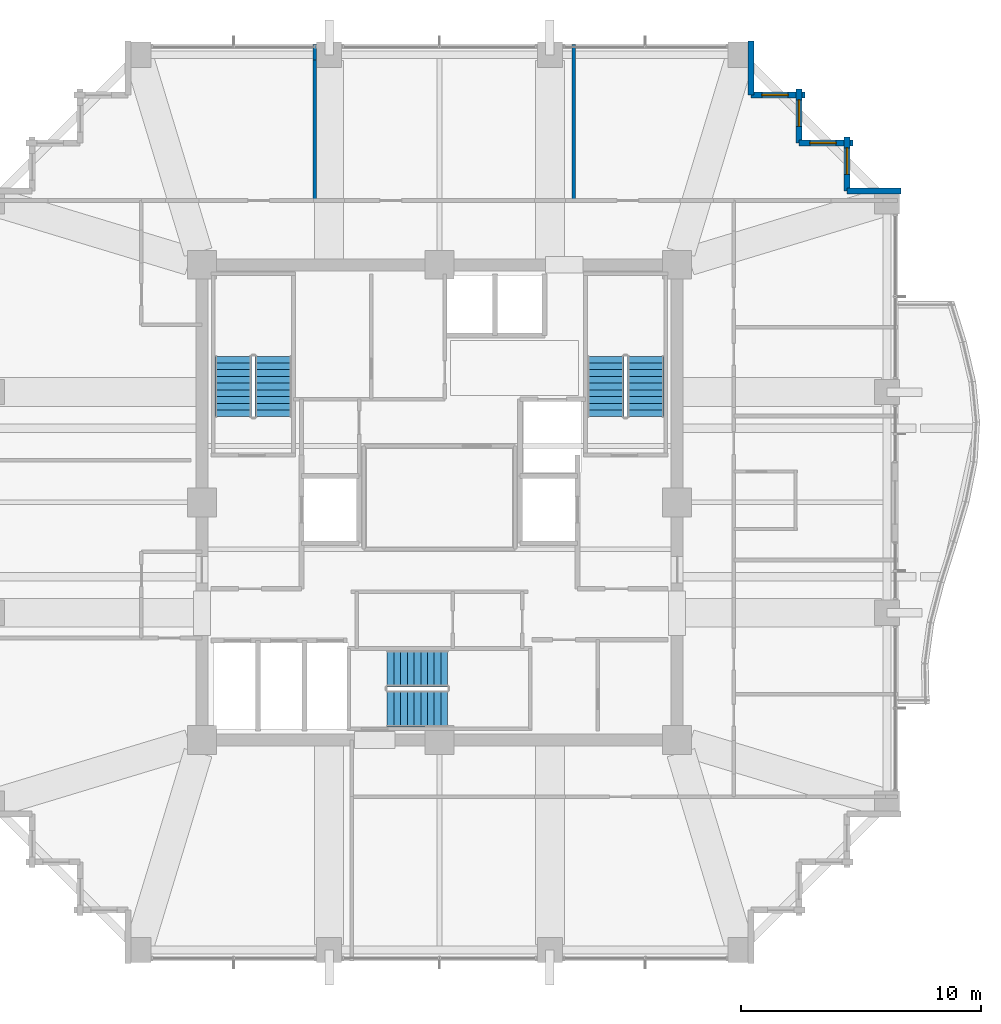
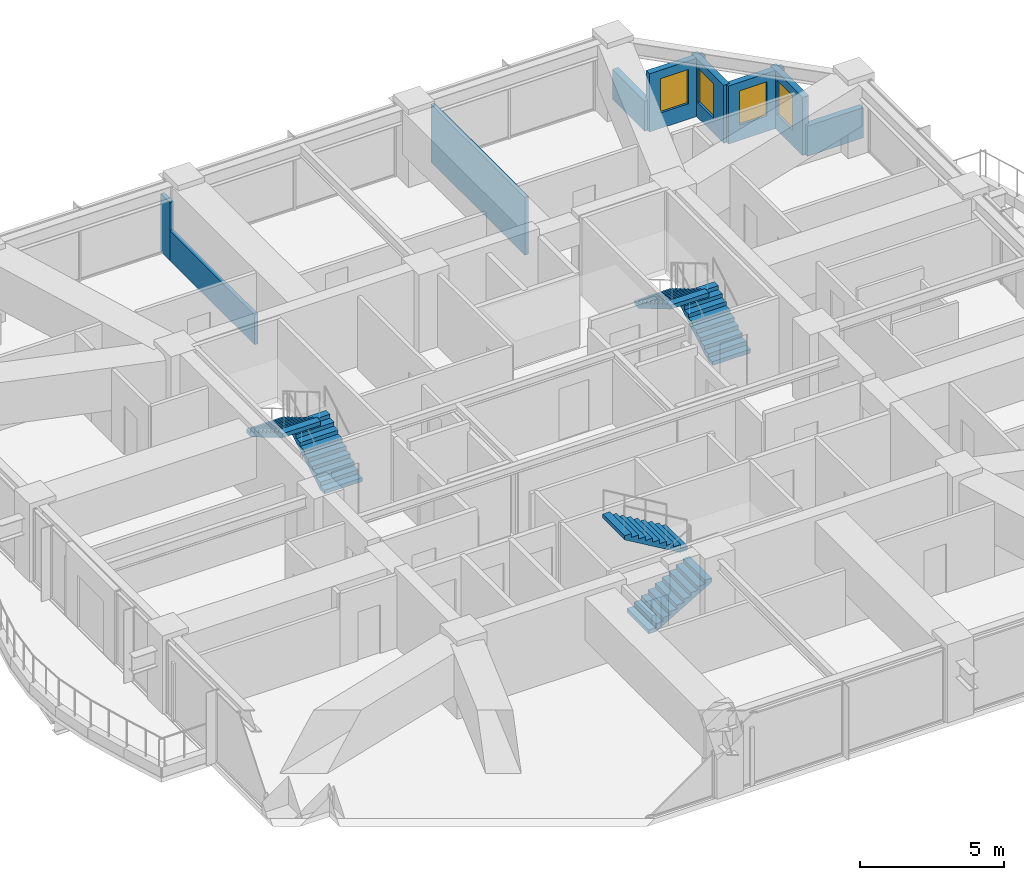
# One storey, part 34 of 36: 9 walls, 6 stair flights, 4 windows, 4 openings, 3 elements without a shape of their own.
"""IFC4 building model written with IfcOpenShell, lengths in metres."""

import ifcopenshell
import ifcopenshell.guid

model = None  # the IFC model being written
_history = None  # IfcOwnerHistory: only IFC2X3 demands one
_inside = {}  # id of a spatial element -> (the spatial element, [elements in it])
_under = {}  # id of a project, library or spatial element -> (it, [spatial elements below it])
_declared = {}  # id of a project -> (the project, [libraries it declares])
_typed = {}  # id of a type object -> (the type object, [elements of that type])
_made_of = {}  # id of a material, layer set ... -> (it, [elements and type objects made of it])


def new_model(schema):
    """Start an empty IFC model of exactly this schema.

    Asked for "IFC4X3", IfcOpenShell would pick the latest addendum, in which some entities
    have other attributes; the version numbers below select the first issue.
    IFC2X3 requires an IfcOwnerHistory on every rooted entity: one is made here for all.
    """
    global model, _history
    if schema == "IFC4X3":
        model = ifcopenshell.file(schema_version=(4, 3, 0, 0))
    else:
        model = ifcopenshell.file(schema=schema)
    _inside.clear()
    _under.clear()
    _declared.clear()
    _typed.clear()
    _made_of.clear()
    _history = None
    if model.schema == "IFC2X3":
        org = make("IfcOrganization", Name="unknown")
        user = make(
            "IfcPersonAndOrganization",
            ThePerson=make("IfcPerson", FamilyName="unknown"),
            TheOrganization=org,
        )
        app = make(
            "IfcApplication",
            ApplicationDeveloper=org,
            Version="unknown",
            ApplicationFullName="unknown",
            ApplicationIdentifier="unknown",
        )
        _history = make(
            "IfcOwnerHistory",
            OwningUser=user,
            OwningApplication=app,
            ChangeAction="ADDED",
            CreationDate=0,
        )
    return model


def make(cls, **values):
    """One entity of the class cls with the attributes given. An attribute that is None is left unset."""
    return model.create_entity(
        cls, **{name: value for name, value in values.items() if value is not None}
    )


def rooted(cls, **values):
    """An entity with a GlobalId (a new one), such as an element, a storey or a relation."""
    return make(cls, GlobalId=ifcopenshell.guid.new(), OwnerHistory=_history, **values)


def si_unit(unit_type, name, prefix=None):
    """IfcSIUnit, for example si_unit("LENGTHUNIT", "METRE", prefix="MILLI")."""
    return make("IfcSIUnit", UnitType=unit_type, Prefix=prefix, Name=name)


def assignment(units):
    """IfcUnitAssignment: the units of a project."""
    return None if units is None else make("IfcUnitAssignment", Units=units)


def point(xyz):
    """IfcCartesianPoint."""
    return None if xyz is None else make("IfcCartesianPoint", Coordinates=xyz)


def direction(xyz):
    """IfcDirection."""
    return None if xyz is None else make("IfcDirection", DirectionRatios=xyz)


def frame(location, z_axis=None, x_axis=None):
    """IfcAxis2Placement3D, a coordinate frame: its origin and axes. An axis left out is left unset."""
    return make(
        "IfcAxis2Placement3D",
        Location=point(location),
        Axis=direction(z_axis),
        RefDirection=direction(x_axis),
    )


def frame_2d(location, x_axis=None):
    """IfcAxis2Placement2D, a coordinate frame in the plane: its origin and x axis."""
    return make(
        "IfcAxis2Placement2D", Location=point(location), RefDirection=direction(x_axis)
    )


def origin():
    """The frame at (0, 0, 0) with its axes left unset."""
    return frame((0.0, 0.0, 0.0))


def place(relative_to, where):
    """IfcLocalPlacement: puts the frame where relative to a parent placement (None: the world)."""
    return make(
        "IfcLocalPlacement", PlacementRelTo=relative_to, RelativePlacement=where
    )


def context(
    kind, dimensions, precision=None, world=None, true_north=None, identifier=None
):
    """IfcGeometricRepresentationContext, for example the 3D "Model" context."""
    return make(
        "IfcGeometricRepresentationContext",
        ContextIdentifier=identifier,
        ContextType=kind,
        CoordinateSpaceDimension=dimensions,
        Precision=precision,
        WorldCoordinateSystem=world,
        TrueNorth=true_north,
    )


def subcontext(parent, identifier, kind, view, scale=None):
    """IfcGeometricRepresentationSubContext, for example "Body" below "Model"."""
    return make(
        "IfcGeometricRepresentationSubContext",
        ContextIdentifier=identifier,
        ContextType=kind,
        ParentContext=parent,
        TargetScale=scale,
        TargetView=view,
    )


def project(units=None, contexts=None):
    """IfcProject with its units and contexts."""
    return rooted(
        "IfcProject",
        Name="project",
        RepresentationContexts=contexts,
        UnitsInContext=assignment(units),
    )


def spatial(cls, under=None, at=None, **own):
    """A site, building, storey or space (cls), placed at a placement, below another one or the project."""
    s = rooted(cls, ObjectPlacement=at, **own)
    if under is not None:
        _under.setdefault(under.id(), (under, []))[1].append(s)
    return s


def polyline(points):
    """IfcPolyline through the points."""
    return make("IfcPolyline", Points=[point(p) for p in points])


def profile(cls, at=None, kind="AREA", **sizes):
    """A parametric profile (cls). Its sizes go by their IFC names, for example OverallWidth=200.0."""
    return make(cls, ProfileType=kind, Position=at, **sizes)


def rectangle(**sizes):
    """IfcRectangleProfileDef."""
    return profile("IfcRectangleProfileDef", **sizes)


def outline(outer, holes=None, kind="AREA"):
    """IfcArbitraryClosedProfileDef: a profile drawn as a closed curve; with holes, ...WithVoids."""
    if holes is None:
        return make("IfcArbitraryClosedProfileDef", ProfileType=kind, OuterCurve=outer)
    return make(
        "IfcArbitraryProfileDefWithVoids",
        ProfileType=kind,
        OuterCurve=outer,
        InnerCurves=holes,
    )


def extrude(swept, where, along, depth):
    """IfcExtrudedAreaSolid: the profile swept, set in the frame where, extruded along a direction by depth."""
    return make(
        "IfcExtrudedAreaSolid",
        SweptArea=swept,
        Position=where,
        ExtrudedDirection=direction(along),
        Depth=depth,
    )


def shape(context_of_items, identifier, shape_type, items):
    """IfcShapeRepresentation: the items that make up one representation, for example the "Body"."""
    return make(
        "IfcShapeRepresentation",
        ContextOfItems=context_of_items,
        RepresentationIdentifier=identifier,
        RepresentationType=shape_type,
        Items=items,
    )


def material(Name=None, Category=None):
    """IfcMaterial."""
    return make("IfcMaterial", Name=Name, Category=Category)


def layer(
    of_material, thickness, ventilated=None, Name=None, Category=None, Priority=None
):
    """IfcMaterialLayer: one layer of a wall or slab, of a material (None: an air gap)."""
    return make(
        "IfcMaterialLayer",
        Material=of_material,
        LayerThickness=thickness,
        IsVentilated=ventilated,
        Name=Name,
        Category=Category,
        Priority=Priority,
    )


def layer_set(layers, Name=None):
    """IfcMaterialLayerSet."""
    return make("IfcMaterialLayerSet", MaterialLayers=layers, LayerSetName=Name)


def made_of(thing, what):
    """Note that an element or type object is made of a material, layer set ...; save() writes the relation."""
    if what is not None:
        _made_of.setdefault(what.id(), (what, []))[1].append(thing)
    return thing


def type_object(cls, material=None, **own):
    """A type object (cls), such as IfcWallType, which elements share."""
    return made_of(rooted(cls, **own), material)


def element(
    cls,
    number,
    at=None,
    inside=None,
    cuts=None,
    type_object=None,
    material=None,
    context=None,
    identifier="Body",
    shape_type=None,
    held_by="IfcProductDefinitionShape",
    body=None,
    shapes=None,
    **own,
):
    """One element of the class cls, such as IfcWall. Its Tag is "e" and its number.

    at: its placement. inside: the storey or other place that contains it. cuts: it is an
    opening in that element (IfcRelVoidsElement). A single representation is given by context,
    identifier, shape_type and body (its items); several are given by shapes. held_by: the class
    of the entity that holds the representations. save() writes the other relations.
    """
    e = rooted(cls, Tag="e%d" % number, ObjectPlacement=at, **own)
    if body is not None:
        shapes = [shape(context, identifier, shape_type, body)]
    if shapes is not None:
        e.Representation = make(held_by, Representations=shapes)
    if inside is not None:
        _inside.setdefault(inside.id(), (inside, []))[1].append(e)
    if cuts is not None:
        rooted(
            "IfcRelVoidsElement", RelatingBuildingElement=cuts, RelatedOpeningElement=e
        )
    if type_object is not None:
        _typed.setdefault(type_object.id(), (type_object, []))[1].append(e)
    return made_of(e, material)


def fill(opening, filler):
    """IfcRelFillsElement: the door or window that sits in an opening."""
    return rooted(
        "IfcRelFillsElement",
        RelatingOpeningElement=opening,
        RelatedBuildingElement=filler,
    )


def aggregate(whole, parts):
    """IfcRelAggregates: a whole, such as a stair, and the parts it consists of."""
    return rooted("IfcRelAggregates", RelatingObject=whole, RelatedObjects=parts)


def save(model, path):
    """Write the relations noted so far, then the file.

    IfcRelAggregates (storeys below a building ...), IfcRelContainedInSpatialStructure (elements
    in a storey), IfcRelDefinesByType, IfcRelAssociatesMaterial and IfcRelDeclares: one each for
    every whole, place, type object, material and project.
    """
    for whole, parts in _under.values():
        aggregate(whole, parts)
    for where, things in _inside.values():
        rooted(
            "IfcRelContainedInSpatialStructure",
            RelatedElements=things,
            RelatingStructure=where,
        )
    for kind, things in _typed.values():
        rooted("IfcRelDefinesByType", RelatedObjects=things, RelatingType=kind)
    for what, things in _made_of.values():
        rooted("IfcRelAssociatesMaterial", RelatedObjects=things, RelatingMaterial=what)
    for by, libraries in _declared.values():
        rooted("IfcRelDeclares", RelatingContext=by, RelatedDefinitions=libraries)
    model.write(path)


model = new_model("IFC4")

# Units and contexts
model_context = context("Model", 3, precision=1e-05, world=origin(), true_north=direction((0.0, 1.0)))
body_context = subcontext(model_context, "Body", "Model", "MODEL_VIEW")
ifc_project = project(units=[si_unit("LENGTHUNIT", "METRE"), si_unit("AREAUNIT", "SQUARE_METRE"), si_unit("VOLUMEUNIT", "CUBIC_METRE"), si_unit("PLANEANGLEUNIT", "RADIAN"), si_unit("MASSUNIT", "GRAM", prefix="KILO")], contexts=[model_context])

# Site, building, storey
site_placement = place(None, origin())
site = spatial("IfcSite", under=ifc_project, at=site_placement, CompositionType="ELEMENT")
building_placement = place(site_placement, origin())
building = spatial("IfcBuilding", under=site, at=building_placement, Name="Kolvaren Belvedere", CompositionType="ELEMENT")
storey_placement = place(building_placement, frame((0.0, 0.0, 108.5)))
storey = spatial("IfcBuildingStorey", under=building, at=storey_placement, Name="L31", CompositionType="ELEMENT", Elevation=108.5)

# Wall
ifc_material_1 = material(Name="Insulated pale-metal facade wall assembly", Category="aluminium")
ifc_layer_1 = layer(ifc_material_1, 0.239990234375)
ifc_layer_set_1 = layer_set([ifc_layer_1], Name="Insulated pale-metal facade wall assembly")
wall_type_1 = type_object("IfcWallType", Name="WL-EXT-240", PredefinedType="STANDARD", material=ifc_layer_set_1)
wall_1_placement = place(storey_placement, frame((16.97998046875, 12.97998046875, 0.0), z_axis=(0.0, 0.0, 1.0), x_axis=(1.0, 0.0, 0.0)))
element("IfcWall", 1, at=wall_1_placement, inside=storey, type_object=wall_type_1, Name="L31 Serrated Corner Facade Wall 9", PredefinedType="STANDARD", context=body_context, shape_type="SweptSolid", body=[
    extrude(rectangle(XDim=2.239990234375, YDim=0.239990234375, at=frame_2d((1.1201171875, 0.0))), origin(), (0.0, 0.0, 1.0), 1.27490234375),
])

# Wall, opening, window
wall_2_placement = place(storey_placement, frame((16.97998046875, 15.219970703125, 0.0), z_axis=(0.0, 0.0, 1.0), x_axis=(0.0, -1.0, 0.0)))
wall_2 = element("IfcWall", 2, at=wall_2_placement, inside=storey, type_object=wall_type_1, Name="L31 Serrated Corner Facade Wall 10", PredefinedType="STANDARD", context=body_context, shape_type="SweptSolid", body=[
    extrude(rectangle(XDim=2.239990234375, YDim=0.239990234375, at=frame_2d((1.1201171875, 0.0))), origin(), (0.0, 0.0, 1.0), 2.458984375),
])
opening_1_placement = place(wall_2_placement, frame((0.449951171875, 0.0, 0.64990234375)))
opening_1 = element("IfcOpeningElement", 3, at=opening_1_placement, cuts=wall_2, Name="Opening W-1100", PredefinedType="OPENING", context=body_context, shape_type="SweptSolid", body=[
    extrude(rectangle(XDim=1.10009765625, YDim=1.449951171875, at=frame_2d((0.550048828125, 0.72509765625))), frame((0.0, 0.1298828125, 0.0), z_axis=(0.0, -1.0, 0.0), x_axis=(1.0, 0.0, 0.0)), (0.0, 0.0, 1.0), 0.260009765625),
])
ifc_material_2 = material(Name="Low-iron triple insulated glass", Category="glass")
window_type = type_object("IfcWindowType", Name="WN-CORN-1100", PartitioningType="SINGLE_PANEL", PredefinedType="WINDOW", material=ifc_material_2)
window_1_placement = place(opening_1_placement, origin())
window_1 = element("IfcWindow", 4, at=window_1_placement, inside=storey, type_object=window_type, Name="L31 Serrated Corner Vision Window 10", OverallHeight=1.449951171875, OverallWidth=1.10009765625, PartitioningType="SINGLE_PANEL", PredefinedType="WINDOW", context=body_context, shape_type="SweptSolid", body=[
    extrude(rectangle(XDim=1.10009765625, YDim=1.449951171875, at=frame_2d((0.550048828125, 0.72509765625))), frame((0.0, 0.030029296875, 0.0), z_axis=(0.0, -1.0, 0.0), x_axis=(1.0, 0.0, 0.0)), (0.0, 0.0, 1.0), 0.06005859375),
])
fill(opening_1, window_1)

wall_3_placement = place(storey_placement, frame((14.97998046875, 14.97998046875, 0.0), z_axis=(0.0, 0.0, 1.0), x_axis=(1.0, 0.0, 0.0)))
wall_3 = element("IfcWall", 5, at=wall_3_placement, inside=storey, type_object=wall_type_1, Name="L31 Serrated Corner Facade Wall 11", PredefinedType="STANDARD", context=body_context, shape_type="SweptSolid", body=[
    extrude(rectangle(XDim=2.239990234375, YDim=0.239990234375, at=frame_2d((1.1201171875, 0.0))), origin(), (0.0, 0.0, 1.0), 2.458984375),
])
opening_2_placement = place(wall_3_placement, frame((0.449951171875, 0.0, 0.64990234375)))
opening_2 = element("IfcOpeningElement", 6, at=opening_2_placement, cuts=wall_3, Name="Opening W-1100", PredefinedType="OPENING", context=body_context, shape_type="SweptSolid", body=[
    extrude(rectangle(XDim=1.10009765625, YDim=1.449951171875, at=frame_2d((0.550048828125, 0.72509765625))), frame((0.0, 0.1298828125, 0.0), z_axis=(0.0, -1.0, 0.0), x_axis=(1.0, 0.0, 0.0)), (0.0, 0.0, 1.0), 0.260009765625),
])
window_2_placement = place(opening_2_placement, origin())
window_2 = element("IfcWindow", 7, at=window_2_placement, inside=storey, type_object=window_type, Name="L31 Serrated Corner Vision Window 11", OverallHeight=1.449951171875, OverallWidth=1.10009765625, PartitioningType="SINGLE_PANEL", PredefinedType="WINDOW", context=body_context, shape_type="SweptSolid", body=[
    extrude(rectangle(XDim=1.10009765625, YDim=1.449951171875, at=frame_2d((0.550048828125, 0.72509765625))), frame((0.0, 0.030029296875, 0.0), z_axis=(0.0, -1.0, 0.0), x_axis=(1.0, 0.0, 0.0)), (0.0, 0.0, 1.0), 0.06005859375),
])
fill(opening_2, window_2)

wall_4_placement = place(storey_placement, frame((14.97998046875, 17.219970703125, 0.0), z_axis=(0.0, 0.0, 1.0), x_axis=(0.0, -1.0, 0.0)))
wall_4 = element("IfcWall", 8, at=wall_4_placement, inside=storey, type_object=wall_type_1, Name="L31 Serrated Corner Facade Wall 12", PredefinedType="STANDARD", context=body_context, shape_type="SweptSolid", body=[
    extrude(rectangle(XDim=2.239990234375, YDim=0.239990234375, at=frame_2d((1.1201171875, 0.0))), origin(), (0.0, 0.0, 1.0), 2.458984375),
])
opening_3_placement = place(wall_4_placement, frame((0.449951171875, 0.0, 0.64990234375)))
opening_3 = element("IfcOpeningElement", 9, at=opening_3_placement, cuts=wall_4, Name="Opening W-1100", PredefinedType="OPENING", context=body_context, shape_type="SweptSolid", body=[
    extrude(rectangle(XDim=1.10009765625, YDim=1.449951171875, at=frame_2d((0.550048828125, 0.72509765625))), frame((0.0, 0.1298828125, 0.0), z_axis=(0.0, -1.0, 0.0), x_axis=(1.0, 0.0, 0.0)), (0.0, 0.0, 1.0), 0.260009765625),
])
window_3_placement = place(opening_3_placement, origin())
window_3 = element("IfcWindow", 10, at=window_3_placement, inside=storey, type_object=window_type, Name="L31 Serrated Corner Vision Window 12", OverallHeight=1.449951171875, OverallWidth=1.10009765625, PartitioningType="SINGLE_PANEL", PredefinedType="WINDOW", context=body_context, shape_type="SweptSolid", body=[
    extrude(rectangle(XDim=1.10009765625, YDim=1.449951171875, at=frame_2d((0.550048828125, 0.72509765625))), frame((0.0, 0.030029296875, 0.0), z_axis=(0.0, -1.0, 0.0), x_axis=(1.0, 0.0, 0.0)), (0.0, 0.0, 1.0), 0.06005859375),
])
fill(opening_3, window_3)

wall_5_placement = place(storey_placement, frame((12.97998046875, 16.97998046875, 0.0), z_axis=(0.0, 0.0, 1.0), x_axis=(1.0, 0.0, 0.0)))
wall_5 = element("IfcWall", 11, at=wall_5_placement, inside=storey, type_object=wall_type_1, Name="L31 Serrated Corner Facade Wall 13", PredefinedType="STANDARD", context=body_context, shape_type="SweptSolid", body=[
    extrude(rectangle(XDim=2.239990234375, YDim=0.239990234375, at=frame_2d((1.1201171875, 0.0))), origin(), (0.0, 0.0, 1.0), 2.458984375),
])
opening_4_placement = place(wall_5_placement, frame((0.449951171875, 0.0, 0.64990234375)))
opening_4 = element("IfcOpeningElement", 12, at=opening_4_placement, cuts=wall_5, Name="Opening W-1100", PredefinedType="OPENING", context=body_context, shape_type="SweptSolid", body=[
    extrude(rectangle(XDim=1.10009765625, YDim=1.449951171875, at=frame_2d((0.550048828125, 0.72509765625))), frame((0.0, 0.1298828125, 0.0), z_axis=(0.0, -1.0, 0.0), x_axis=(1.0, 0.0, 0.0)), (0.0, 0.0, 1.0), 0.260009765625),
])
window_4_placement = place(opening_4_placement, origin())
window_4 = element("IfcWindow", 13, at=window_4_placement, inside=storey, type_object=window_type, Name="L31 Serrated Corner Vision Window 13", OverallHeight=1.449951171875, OverallWidth=1.10009765625, PartitioningType="SINGLE_PANEL", PredefinedType="WINDOW", context=body_context, shape_type="SweptSolid", body=[
    extrude(rectangle(XDim=1.10009765625, YDim=1.449951171875, at=frame_2d((0.550048828125, 0.72509765625))), frame((0.0, 0.030029296875, 0.0), z_axis=(0.0, -1.0, 0.0), x_axis=(1.0, 0.0, 0.0)), (0.0, 0.0, 1.0), 0.06005859375),
])
fill(opening_4, window_4)

# Walls
wall_6_placement = place(storey_placement, frame((12.97998046875, 19.219970703125, 0.0), z_axis=(0.0, 0.0, 1.0), x_axis=(0.0, -1.0, 0.0)))
element("IfcWall", 14, at=wall_6_placement, inside=storey, type_object=wall_type_1, Name="L31 Serrated Corner Facade Wall 14", PredefinedType="STANDARD", context=body_context, shape_type="SweptSolid", body=[
    extrude(rectangle(XDim=2.239990234375, YDim=0.239990234375, at=frame_2d((1.1201171875, 0.0))), origin(), (0.0, 0.0, 1.0), 1.27490234375),
])
ifc_material_3 = material(Name="Gypsum acoustic partition assembly", Category="gypsum")
ifc_layer_2 = layer(ifc_material_3, 0.14990234375)
ifc_layer_set_2 = layer_set([ifc_layer_2], Name="Gypsum acoustic partition assembly")
wall_type_2 = type_object("IfcWallType", Name="WL-PART-150", PredefinedType="PARTITIONING", material=ifc_layer_set_2)
wall_7_placement = place(storey_placement, frame((-5.199951171875, 12.580078125, 0.0), z_axis=(0.0, 0.0, 1.0), x_axis=(0.0, 1.0, 0.0)))
element("IfcWall", 15, at=wall_7_placement, inside=storey, type_object=wall_type_2, Name="L31 North Suite Demising Wall 1", PredefinedType="PARTITIONING", context=body_context, shape_type="SweptSolid", body=[
    extrude(rectangle(XDim=5.86376953125, YDim=0.14990234375, at=frame_2d((2.931884765625, 0.0))), origin(), (0.0, 0.0, 1.0), 1.264892578125),
])
wall_8_placement = place(storey_placement, frame((-5.199951171875, 18.44384765625, 0.0), z_axis=(0.0, 0.0, 1.0), x_axis=(0.0, 1.0, 0.0)))
element("IfcWall", 16, at=wall_8_placement, inside=storey, type_object=wall_type_2, Name="L31 North Suite Demising Wall 1", PredefinedType="PARTITIONING", context=body_context, shape_type="SweptSolid", body=[
    extrude(rectangle(XDim=0.63623046875, YDim=0.14990234375, at=frame_2d((0.318115234375, 0.0))), origin(), (0.0, 0.0, 1.0), 2.448974609375),
])
wall_9_placement = place(storey_placement, frame((5.60009765625, 12.580078125, 0.0), z_axis=(0.0, 0.0, 1.0), x_axis=(0.0, 1.0, 0.0)))
element("IfcWall", 17, at=wall_9_placement, inside=storey, type_object=wall_type_2, Name="L31 North Suite Demising Wall 2", PredefinedType="PARTITIONING", context=body_context, shape_type="SweptSolid", body=[
    extrude(rectangle(XDim=6.5, YDim=0.14990234375, at=frame_2d((3.25, 0.0))), origin(), (0.0, 0.0, 1.0), 2.448974609375),
])

# Stair, stair flights
ifc_material_4 = material(Name="Concrete C50/60", Category="concrete")
stair_type = type_object("IfcStairType", Name="ST-CORE-1520", PredefinedType="HALF_TURN_STAIR", material=ifc_material_4)
stair_1_placement = place(storey_placement, origin())
stair_1 = element("IfcStair", 18, at=stair_1_placement, inside=storey, type_object=stair_type, Name="L31 Protected Exit Stair ST-1", PredefinedType="HALF_TURN_STAIR")
ifc_material_5 = material(Name="Concrete C50/60", Category="concrete")
stair_flight_type = type_object("IfcStairFlightType", Name="SF-STR-1520", PredefinedType="STRAIGHT", material=ifc_material_5)
stair_flight_1_placement = place(storey_placement, frame((-6.919921875, 3.570068359375, 0.0), z_axis=(0.0, 0.0, 1.0), x_axis=(0.0, 1.0, 0.0)))
stair_flight_1 = element("IfcStairFlight", 19, at=stair_flight_1_placement, type_object=stair_flight_type, Name="ST-1 flight 1", NumberOfRisers=10, NumberOfTreads=9, PredefinedType="STRAIGHT", RiserHeight=0.165, TreadLength=0.28, context=body_context, shape_type="SweptSolid", body=[
    extrude(outline(polyline([(0.0, 0.0), (0.0, 0.1650390625), (0.280029296875, 0.1650390625), (0.280029296875, 0.330078125), (0.56005859375, 0.330078125), (0.56005859375, 0.4951171875), (0.840087890625, 0.4951171875), (0.840087890625, 0.659912109375), (1.1201171875, 0.659912109375), (1.1201171875, 0.824951171875), (1.39990234375, 0.824951171875), (1.39990234375, 0.989990234375), (1.679931640625, 0.989990234375), (1.679931640625, 1.155029296875), (1.9599609375, 1.155029296875), (1.9599609375, 1.320068359375), (2.239990234375, 1.320068359375), (2.239990234375, 1.485107421875), (2.52001953125, 1.485107421875), (2.52001953125, 1.64990234375), (2.52001953125, 1.31103515625), (0.295166015625, 0.0), (0.0, 0.0)])), frame((0.0, 0.760009765625, 0.0), z_axis=(0.0, -1.0, 0.0), x_axis=(1.0, 0.0, 0.0)), (0.0, 0.0, 1.0), 1.52001953125),
])
stair_flight_2_placement = place(storey_placement, frame((-8.590087890625, 6.090087890625, 1.64990234375), z_axis=(0.0, 0.0, 1.0), x_axis=(0.0, -1.0, 0.0)))
stair_flight_2 = element("IfcStairFlight", 20, at=stair_flight_2_placement, type_object=stair_flight_type, Name="ST-1 flight 2", NumberOfRisers=10, NumberOfTreads=9, PredefinedType="STRAIGHT", RiserHeight=0.165, TreadLength=0.28, context=body_context, shape_type="SweptSolid", body=[
    extrude(outline(polyline([(0.0, 0.0), (0.0, 0.1650390625), (0.280029296875, 0.1650390625), (0.280029296875, 0.330078125), (0.56005859375, 0.330078125), (0.56005859375, 0.4951171875), (0.840087890625, 0.4951171875), (0.840087890625, 0.659912109375), (1.1201171875, 0.659912109375), (1.1201171875, 0.824951171875), (1.39990234375, 0.824951171875), (1.39990234375, 0.989990234375), (1.679931640625, 0.989990234375), (1.679931640625, 1.155029296875), (1.9599609375, 1.155029296875), (1.9599609375, 1.320068359375), (2.239990234375, 1.320068359375), (2.239990234375, 1.485107421875), (2.52001953125, 1.485107421875), (2.52001953125, 1.64990234375), (2.52001953125, 1.31103515625), (0.295166015625, 0.0), (0.0, 0.0)])), frame((0.0, 0.760009765625, 0.0), z_axis=(0.0, -1.0, 0.0), x_axis=(1.0, 0.0, 0.0)), (0.0, 0.0, 1.0), 1.52001953125),
])
aggregate(stair_1, [stair_flight_1, stair_flight_2])

stair_2_placement = place(storey_placement, origin())
stair_2 = element("IfcStair", 21, at=stair_2_placement, inside=storey, type_object=stair_type, Name="L31 Protected Exit Stair ST-2", PredefinedType="HALF_TURN_STAIR")
stair_flight_3_placement = place(storey_placement, frame((8.590087890625, 3.570068359375, 0.0), z_axis=(0.0, 0.0, 1.0), x_axis=(0.0, 1.0, 0.0)))
stair_flight_3 = element("IfcStairFlight", 22, at=stair_flight_3_placement, type_object=stair_flight_type, Name="ST-2 flight 1", NumberOfRisers=10, NumberOfTreads=9, PredefinedType="STRAIGHT", RiserHeight=0.165, TreadLength=0.28, context=body_context, shape_type="SweptSolid", body=[
    extrude(outline(polyline([(0.0, 0.0), (0.0, 0.1650390625), (0.280029296875, 0.1650390625), (0.280029296875, 0.330078125), (0.56005859375, 0.330078125), (0.56005859375, 0.4951171875), (0.840087890625, 0.4951171875), (0.840087890625, 0.659912109375), (1.1201171875, 0.659912109375), (1.1201171875, 0.824951171875), (1.39990234375, 0.824951171875), (1.39990234375, 0.989990234375), (1.679931640625, 0.989990234375), (1.679931640625, 1.155029296875), (1.9599609375, 1.155029296875), (1.9599609375, 1.320068359375), (2.239990234375, 1.320068359375), (2.239990234375, 1.485107421875), (2.52001953125, 1.485107421875), (2.52001953125, 1.64990234375), (2.52001953125, 1.31103515625), (0.295166015625, 0.0), (0.0, 0.0)])), frame((0.0, 0.760009765625, 0.0), z_axis=(0.0, -1.0, 0.0), x_axis=(1.0, 0.0, 0.0)), (0.0, 0.0, 1.0), 1.52001953125),
])
stair_flight_4_placement = place(storey_placement, frame((6.919921875, 6.090087890625, 1.64990234375), z_axis=(0.0, 0.0, 1.0), x_axis=(0.0, -1.0, 0.0)))
stair_flight_4 = element("IfcStairFlight", 23, at=stair_flight_4_placement, type_object=stair_flight_type, Name="ST-2 flight 2", NumberOfRisers=10, NumberOfTreads=9, PredefinedType="STRAIGHT", RiserHeight=0.165, TreadLength=0.28, context=body_context, shape_type="SweptSolid", body=[
    extrude(outline(polyline([(0.0, 0.0), (0.0, 0.1650390625), (0.280029296875, 0.1650390625), (0.280029296875, 0.330078125), (0.56005859375, 0.330078125), (0.56005859375, 0.4951171875), (0.840087890625, 0.4951171875), (0.840087890625, 0.659912109375), (1.1201171875, 0.659912109375), (1.1201171875, 0.824951171875), (1.39990234375, 0.824951171875), (1.39990234375, 0.989990234375), (1.679931640625, 0.989990234375), (1.679931640625, 1.155029296875), (1.9599609375, 1.155029296875), (1.9599609375, 1.320068359375), (2.239990234375, 1.320068359375), (2.239990234375, 1.485107421875), (2.52001953125, 1.485107421875), (2.52001953125, 1.64990234375), (2.52001953125, 1.31103515625), (0.295166015625, 0.0), (0.0, 0.0)])), frame((0.0, 0.760009765625, 0.0), z_axis=(0.0, -1.0, 0.0), x_axis=(1.0, 0.0, 0.0)), (0.0, 0.0, 1.0), 1.52001953125),
])
aggregate(stair_2, [stair_flight_3, stair_flight_4])

stair_3_placement = place(storey_placement, origin())
stair_3 = element("IfcStair", 24, at=stair_3_placement, inside=storey, type_object=stair_type, Name="L31 Protected Exit Stair ST-3", PredefinedType="HALF_TURN_STAIR")
stair_flight_5_placement = place(storey_placement, frame((-2.179931640625, -8.590087890625, 0.0), z_axis=(0.0, 0.0, 1.0), x_axis=(1.0, 0.0, 0.0)))
stair_flight_5 = element("IfcStairFlight", 25, at=stair_flight_5_placement, type_object=stair_flight_type, Name="ST-3 flight 1", NumberOfRisers=10, NumberOfTreads=9, PredefinedType="STRAIGHT", RiserHeight=0.165, TreadLength=0.28, context=body_context, shape_type="SweptSolid", body=[
    extrude(outline(polyline([(0.0, 0.0), (0.0, 0.1650390625), (0.280029296875, 0.1650390625), (0.280029296875, 0.330078125), (0.56005859375, 0.330078125), (0.56005859375, 0.4951171875), (0.840087890625, 0.4951171875), (0.840087890625, 0.659912109375), (1.1201171875, 0.659912109375), (1.1201171875, 0.824951171875), (1.39990234375, 0.824951171875), (1.39990234375, 0.989990234375), (1.679931640625, 0.989990234375), (1.679931640625, 1.155029296875), (1.9599609375, 1.155029296875), (1.9599609375, 1.320068359375), (2.239990234375, 1.320068359375), (2.239990234375, 1.485107421875), (2.52001953125, 1.485107421875), (2.52001953125, 1.64990234375), (2.52001953125, 1.31103515625), (0.295166015625, 0.0), (0.0, 0.0)])), frame((0.0, 0.760009765625, 0.0), z_axis=(0.0, -1.0, 0.0), x_axis=(1.0, 0.0, 0.0)), (0.0, 0.0, 1.0), 1.52001953125),
])
stair_flight_6_placement = place(storey_placement, frame((0.340087890625, -6.919921875, 1.64990234375), z_axis=(0.0, 0.0, 1.0), x_axis=(-1.0, 0.0, 0.0)))
stair_flight_6 = element("IfcStairFlight", 26, at=stair_flight_6_placement, type_object=stair_flight_type, Name="ST-3 flight 2", NumberOfRisers=10, NumberOfTreads=9, PredefinedType="STRAIGHT", RiserHeight=0.165, TreadLength=0.28, context=body_context, shape_type="SweptSolid", body=[
    extrude(outline(polyline([(0.0, 0.0), (0.0, 0.1650390625), (0.280029296875, 0.1650390625), (0.280029296875, 0.330078125), (0.56005859375, 0.330078125), (0.56005859375, 0.4951171875), (0.840087890625, 0.4951171875), (0.840087890625, 0.659912109375), (1.1201171875, 0.659912109375), (1.1201171875, 0.824951171875), (1.39990234375, 0.824951171875), (1.39990234375, 0.989990234375), (1.679931640625, 0.989990234375), (1.679931640625, 1.155029296875), (1.9599609375, 1.155029296875), (1.9599609375, 1.320068359375), (2.239990234375, 1.320068359375), (2.239990234375, 1.485107421875), (2.52001953125, 1.485107421875), (2.52001953125, 1.64990234375), (2.52001953125, 1.31103515625), (0.295166015625, 0.0), (0.0, 0.0)])), frame((0.0, 0.760009765625, 0.0), z_axis=(0.0, -1.0, 0.0), x_axis=(1.0, 0.0, 0.0)), (0.0, 0.0, 1.0), 1.52001953125),
])
aggregate(stair_3, [stair_flight_5, stair_flight_6])

save(model, "model.ifc")
